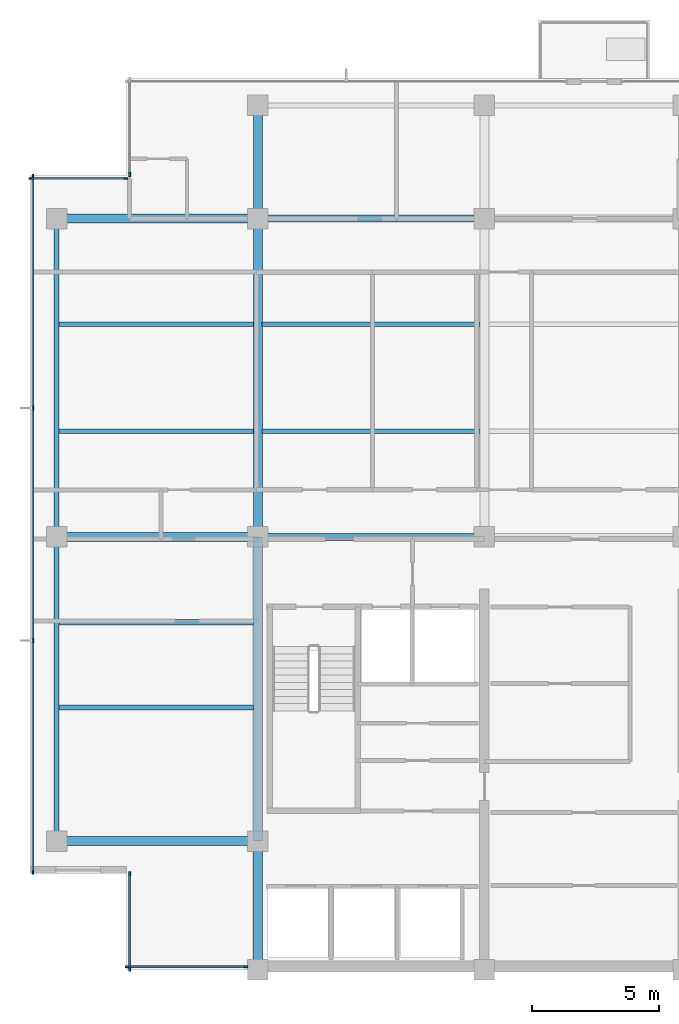
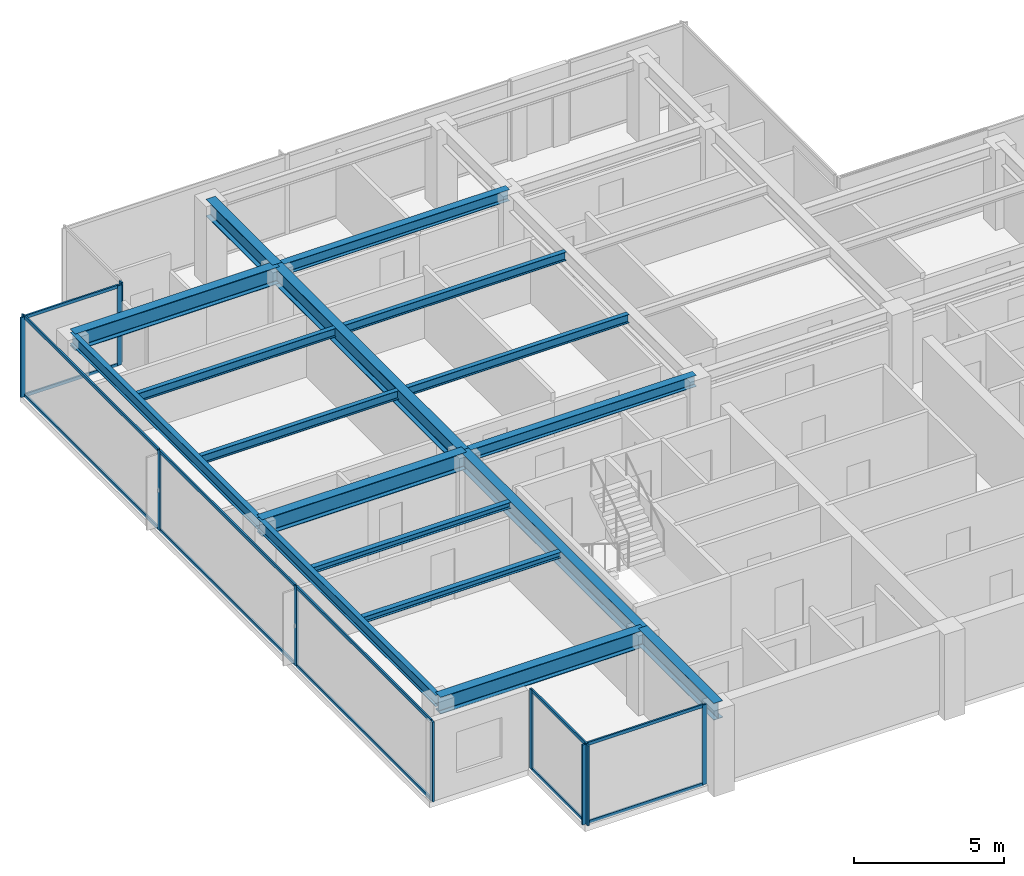
# One storey, part 2 of 11: 23 members, 17 beams, 5 elements without a shape of their own.
"""IFC4 building model written with IfcOpenShell, lengths in metres."""

from ifc_helpers import new_model, si_unit, direction, frame, origin, origin_2d, place, context, subcontext, project, spatial, rectangle, i_section, extrude, material, layer, layer_set, material_profile, profile_set, type_object, element, aggregate, save


model = new_model("IFC4")

# Units and contexts
model_context = context("Model", 3, precision=1e-05, world=origin(), true_north=direction((0.0, 1.0)))
body_context = subcontext(model_context, "Body", "Model", "MODEL_VIEW")
ifc_project = project(units=[si_unit("LENGTHUNIT", "METRE"), si_unit("AREAUNIT", "SQUARE_METRE"), si_unit("VOLUMEUNIT", "CUBIC_METRE"), si_unit("PLANEANGLEUNIT", "RADIAN"), si_unit("MASSUNIT", "GRAM", prefix="KILO")], contexts=[model_context])

# Site, building, storey
site_placement = place(None, origin())
site = spatial("IfcSite", under=ifc_project, at=site_placement, CompositionType="ELEMENT")
building_placement = place(site_placement, origin())
building = spatial("IfcBuilding", under=site, at=building_placement, Name="Qalmaran Belvedere Hotel", CompositionType="ELEMENT")
storey_placement = place(building_placement, frame((0.0, 0.0, 277.39990234375)))
storey = spatial("IfcBuildingStorey", under=building, at=storey_placement, Name="L72", CompositionType="ELEMENT", Elevation=277.39990234375)

# Beams
ifc_material_1 = material(Name="Steel S355JR", Category="steel")
ifc_material_profile_1 = material_profile(ifc_material_1, i_section(OverallWidth=0.201904296875, OverallDepth=0.2470703125, WebThickness=0.00732421875, FlangeThickness=0.010986328125, FilletRadius=0.011962890625, at=origin_2d()), Name="W250X49")
ifc_profile_set_1 = profile_set([ifc_material_profile_1], Name="Steel S355JR")
beam_type_1 = type_object("IfcBeamType", Name="BM-JST-W250X49", PredefinedType="JOIST", material=ifc_profile_set_1)
for number, where, z_axis, x_axis, name in (
    (1, (12.493896484375, 13.800048828125, 3.13671875), (1.0, 0.0, 0.0), (0.0, 1.0, 0.0), "L72 West Wing Joist 031"),
    (2, (12.493896484375, 17.14990234375, 3.13671875), (1.0, 0.0, 0.0), (0.0, 1.0, 0.0), "L72 West Wing Joist 033"),
):
    element("IfcBeam", number, at=place(storey_placement, frame(where, z_axis=z_axis, x_axis=x_axis)), inside=storey, type_object=beam_type_1, Name=name, PredefinedType="JOIST", context=body_context, shape_type="SweptSolid", body=[
        extrude(i_section(OverallWidth=0.201904296875, OverallDepth=0.2470703125, WebThickness=0.00732421875, FlangeThickness=0.010986328125, FilletRadius=0.011962890625, at=origin_2d()), origin(), (0.0, 0.0, 1.0), 7.630615234375),
    ])
ifc_material_profile_2 = material_profile(ifc_material_1, i_section(OverallWidth=0.172119140625, OverallDepth=0.35791015625, WebThickness=0.0078125, FlangeThickness=0.01318359375, FilletRadius=0.014892578125, at=origin_2d()), Name="W360X57")
ifc_profile_set_2 = profile_set([ifc_material_profile_2], Name="Steel S355JR")
beam_type_2 = type_object("IfcBeamType", Name="BM-SB4-W360X57", PredefinedType="BEAM", material=ifc_profile_set_2)
beam_1_placement = place(storey_placement, frame((12.493896484375, 24.64990234375, 3.0810546875), z_axis=(1.0, 0.0, 0.0), x_axis=(0.0, 1.0, 0.0)))
element("IfcBeam", 3, at=beam_1_placement, inside=storey, type_object=beam_type_2, Name="L72 West Secondary Beam 024", PredefinedType="BEAM", context=body_context, shape_type="SweptSolid", body=[
    extrude(i_section(OverallWidth=0.172119140625, OverallDepth=0.35791015625, WebThickness=0.0078125, FlangeThickness=0.01318359375, FilletRadius=0.014892578125, at=origin_2d()), origin(), (0.0, 0.0, 1.0), 7.630615234375),
])
beam_2_placement = place(storey_placement, frame((20.4755859375, 24.64990234375, 3.0810546875), z_axis=(1.0, 0.0, 0.0), x_axis=(0.0, 1.0, 0.0)))
element("IfcBeam", 4, at=beam_2_placement, inside=storey, type_object=beam_type_2, Name="L72 Secondary Floor Beam 025", PredefinedType="BEAM", context=body_context, shape_type="SweptSolid", body=[
    extrude(i_section(OverallWidth=0.172119140625, OverallDepth=0.35791015625, WebThickness=0.0078125, FlangeThickness=0.01318359375, FilletRadius=0.014892578125, at=origin_2d()), origin(), (0.0, 0.0, 1.0), 8.548828125),
])
beam_3_placement = place(storey_placement, frame((12.493896484375, 28.85009765625, 3.0810546875), z_axis=(1.0, 0.0, 0.0), x_axis=(0.0, 1.0, 0.0)))
element("IfcBeam", 5, at=beam_3_placement, inside=storey, type_object=beam_type_2, Name="L72 West Secondary Beam 028", PredefinedType="BEAM", context=body_context, shape_type="SweptSolid", body=[
    extrude(i_section(OverallWidth=0.172119140625, OverallDepth=0.35791015625, WebThickness=0.0078125, FlangeThickness=0.01318359375, FilletRadius=0.014892578125, at=origin_2d()), origin(), (0.0, 0.0, 1.0), 7.630615234375),
])
beam_4_placement = place(storey_placement, frame((20.4755859375, 28.85009765625, 3.0810546875), z_axis=(1.0, 0.0, 0.0), x_axis=(0.0, 1.0, 0.0)))
element("IfcBeam", 6, at=beam_4_placement, inside=storey, type_object=beam_type_2, Name="L72 Secondary Floor Beam 029", PredefinedType="BEAM", context=body_context, shape_type="SweptSolid", body=[
    extrude(i_section(OverallWidth=0.172119140625, OverallDepth=0.35791015625, WebThickness=0.0078125, FlangeThickness=0.01318359375, FilletRadius=0.014892578125, at=origin_2d()), origin(), (0.0, 0.0, 1.0), 8.548828125),
])
ifc_material_profile_3 = material_profile(ifc_material_1, i_section(OverallWidth=0.19189453125, OverallDepth=0.462890625, WebThickness=0.010498046875, FlangeThickness=0.017578125, FilletRadius=0.01611328125, at=origin_2d()), Name="W460X89")
ifc_profile_set_3 = profile_set([ifc_material_profile_3], Name="Steel S355JR")
beam_type_3 = type_object("IfcBeamType", Name="BM-SP2-W460X89", PredefinedType="SPANDREL", material=ifc_profile_set_3)
beam_5_placement = place(storey_placement, frame((12.39990234375, 8.550048828125, 3.028564453125), z_axis=(0.0, 1.0, 0.0), x_axis=(-1.0, 0.0, 0.0)))
element("IfcBeam", 7, at=beam_5_placement, inside=storey, type_object=beam_type_3, Name="L72 Perimeter Spandrel 01", PredefinedType="SPANDREL", context=body_context, shape_type="SweptSolid", body=[
    extrude(i_section(OverallWidth=0.19189453125, OverallDepth=0.462890625, WebThickness=0.010498046875, FlangeThickness=0.017578125, FilletRadius=0.01611328125, at=origin_2d()), origin(), (0.0, 0.0, 1.0), 11.949951171875),
])
beam_6_placement = place(storey_placement, frame((12.39990234375, 20.5, 3.028564453125), z_axis=(0.0, 1.0, 0.0), x_axis=(-1.0, 0.0, 0.0)))
element("IfcBeam", 8, at=beam_6_placement, inside=storey, type_object=beam_type_3, Name="L72 Perimeter Spandrel 02", PredefinedType="SPANDREL", context=body_context, shape_type="SweptSolid", body=[
    extrude(i_section(OverallWidth=0.19189453125, OverallDepth=0.462890625, WebThickness=0.010498046875, FlangeThickness=0.017578125, FilletRadius=0.01611328125, at=origin_2d()), origin(), (0.0, 0.0, 1.0), 12.5),
])
ifc_material_profile_4 = material_profile(ifc_material_1, i_section(OverallWidth=0.35498046875, OverallDepth=0.695068359375, WebThickness=0.015380859375, FlangeThickness=0.02490234375, FilletRadius=0.02197265625, at=origin_2d()), Name="W690X217")
ifc_profile_set_4 = profile_set([ifc_material_profile_4], Name="Steel S355JR")
beam_type_4 = type_object("IfcBeamType", Name="BM-Z1-W690X217", PredefinedType="USERDEFINED", material=ifc_profile_set_4)
beam_7_placement = place(storey_placement, frame((20.300048828125, 20.5, 2.91259765625), z_axis=(0.0, 1.0, 0.0), x_axis=(-1.0, 0.0, 0.0)))
element("IfcBeam", 9, at=beam_7_placement, inside=storey, type_object=beam_type_4, Name="L72 Mid-Plate N-S Girder 11", ObjectType="GIRDER", PredefinedType="USERDEFINED", context=body_context, shape_type="SweptSolid", body=[
    extrude(i_section(OverallWidth=0.35498046875, OverallDepth=0.695068359375, WebThickness=0.015380859375, FlangeThickness=0.02490234375, FilletRadius=0.02197265625, at=origin_2d()), origin(), (0.0, 0.0, 1.0), 12.5),
])
beam_8_placement = place(storey_placement, frame((20.300048828125, 33.0, 2.91259765625), z_axis=(0.0, 1.0, 0.0), x_axis=(-1.0, 0.0, 0.0)))
element("IfcBeam", 10, at=beam_8_placement, inside=storey, type_object=beam_type_4, Name="L72 North Bay Girder 12", ObjectType="GIRDER", PredefinedType="USERDEFINED", context=body_context, shape_type="SweptSolid", body=[
    extrude(i_section(OverallWidth=0.35498046875, OverallDepth=0.695068359375, WebThickness=0.015380859375, FlangeThickness=0.02490234375, FilletRadius=0.02197265625, at=origin_2d()), origin(), (0.0, 0.0, 1.0), 4.449951171875),
])
for number, where, z_axis, x_axis, name in (
    (11, (12.39990234375, 8.550048828125, 2.91259765625), (1.0, 0.0, 0.0), (0.0, 1.0, 0.0), "L72 West Wing Girder 19"),
    (12, (12.39990234375, 20.5, 2.91259765625), (1.0, 0.0, 0.0), (0.0, 1.0, 0.0), "L72 West Wing Girder 20"),
    (13, (12.39990234375, 33.0, 2.91259765625), (1.0, 0.0, 0.0), (0.0, 1.0, 0.0), "L72 West Wing Girder 21"),
):
    element("IfcBeam", number, at=place(storey_placement, frame(where, z_axis=z_axis, x_axis=x_axis)), inside=storey, type_object=beam_type_4, Name=name, ObjectType="GIRDER", PredefinedType="USERDEFINED", context=body_context, shape_type="SweptSolid", body=[
        extrude(i_section(OverallWidth=0.35498046875, OverallDepth=0.695068359375, WebThickness=0.015380859375, FlangeThickness=0.02490234375, FilletRadius=0.02197265625, at=origin_2d()), origin(), (0.0, 0.0, 1.0), 7.900146484375),
    ])
beam_9_placement = place(storey_placement, frame((20.300048828125, 3.5, 2.91259765625), z_axis=(0.0, 1.0, 0.0), x_axis=(-1.0, 0.0, 0.0)))
element("IfcBeam", 14, at=beam_9_placement, inside=storey, type_object=beam_type_4, Name="L72 West Core Edge Girder A", ObjectType="GIRDER", PredefinedType="USERDEFINED", context=body_context, shape_type="SweptSolid", body=[
    extrude(i_section(OverallWidth=0.35498046875, OverallDepth=0.695068359375, WebThickness=0.015380859375, FlangeThickness=0.02490234375, FilletRadius=0.02197265625, at=origin_2d()), origin(), (0.0, 0.0, 1.0), 5.050048828125),
])
beam_10_placement = place(storey_placement, frame((20.300048828125, 8.550048828125, 2.91259765625), z_axis=(0.0, 1.0, 0.0), x_axis=(-1.0, 0.0, 0.0)))
element("IfcBeam", 15, at=beam_10_placement, inside=storey, type_object=beam_type_4, Name="L72 West Core Edge Girder B", ObjectType="GIRDER", PredefinedType="USERDEFINED", context=body_context, shape_type="SweptSolid", body=[
    extrude(i_section(OverallWidth=0.35498046875, OverallDepth=0.695068359375, WebThickness=0.015380859375, FlangeThickness=0.02490234375, FilletRadius=0.02197265625, at=origin_2d()), origin(), (0.0, 0.0, 1.0), 11.949951171875),
])
ifc_material_profile_5 = material_profile(ifc_material_1, i_section(OverallWidth=0.280029296875, OverallDepth=0.462890625, WebThickness=0.0107421875, FlangeThickness=0.017333984375, FilletRadius=0.01611328125, at=origin_2d()), Name="W460X113")
ifc_profile_set_5 = profile_set([ifc_material_profile_5], Name="Steel S355JR")
beam_type_5 = type_object("IfcBeamType", Name="BM-Z5-W460X113", PredefinedType="USERDEFINED", material=ifc_profile_set_5)
for number, where, z_axis, x_axis, name in (
    (16, (20.300048828125, 20.5, 3.028564453125), (1.0, 0.0, 0.0), (0.0, 1.0, 0.0), "L72 Interior E-W Girder 06"),
    (17, (20.300048828125, 33.0, 3.028564453125), (1.0, 0.0, 0.0), (0.0, 1.0, 0.0), "L72 Interior E-W Girder 09"),
):
    element("IfcBeam", number, at=place(storey_placement, frame(where, z_axis=z_axis, x_axis=x_axis)), inside=storey, type_object=beam_type_5, Name=name, ObjectType="GIRDER", PredefinedType="USERDEFINED", context=body_context, shape_type="SweptSolid", body=[
        extrude(i_section(OverallWidth=0.280029296875, OverallDepth=0.462890625, WebThickness=0.0107421875, FlangeThickness=0.017333984375, FilletRadius=0.01611328125, at=origin_2d()), origin(), (0.0, 0.0, 1.0), 8.89990234375),
    ])

# Curtain wall, members
ifc_material_2 = material(Name="Anodised Bronze Aluminium", Category="aluminium")
ifc_layer = layer(ifc_material_2, 0.18505859375, Name="Anodised Bronze Aluminium")
ifc_layer_set = layer_set([ifc_layer], Name="Anodised Bronze Aluminium")
curtain_wall_type = type_object("IfcCurtainWallType", Name="CW6-TOWER-SKY", PredefinedType="NOTDEFINED", material=ifc_layer_set)
curtain_wall_1_placement = place(storey_placement, origin())
curtain_wall_1 = element("IfcCurtainWall", 18, at=curtain_wall_1_placement, inside=storey, type_object=curtain_wall_type, Name="L72 Curtain Wall CW6", PredefinedType="NOTDEFINED")
ifc_material_profile_6 = material_profile(ifc_material_2, rectangle(XDim=0.06494140625, YDim=0.1650390625, at=origin_2d()), Name="CWM65X165")
ifc_profile_set_6 = profile_set([ifc_material_profile_6], Name="Anodised Bronze Aluminium")
member_type_1 = type_object("IfcMemberType", Name="CWM-65X165", PredefinedType="MULLION", material=ifc_profile_set_6)
member_1_placement = place(storey_placement, frame((15.1826171875, 3.6201171875, 0.0), z_axis=(0.0, 0.0, 1.0), x_axis=(0.0, 1.0, 0.0)))
member_1 = element("IfcMember", 19, at=member_1_placement, type_object=member_type_1, Name="CW6 mullion 1", PredefinedType="MULLION", context=body_context, shape_type="SweptSolid", body=[
    extrude(rectangle(XDim=0.06494140625, YDim=0.1650390625, at=origin_2d()), origin(), (0.0, 0.0, 1.0), 3.260009765625),
])
member_2_placement = place(storey_placement, frame((19.827392578125, 3.6201171875, 0.0), z_axis=(0.0, 0.0, 1.0), x_axis=(0.0, 1.0, 0.0)))
member_2 = element("IfcMember", 20, at=member_2_placement, type_object=member_type_1, Name="CW6 mullion 2", PredefinedType="MULLION", context=body_context, shape_type="SweptSolid", body=[
    extrude(rectangle(XDim=0.06494140625, YDim=0.1650390625, at=origin_2d()), origin(), (0.0, 0.0, 1.0), 3.260009765625),
])

# Curtain wall, member
curtain_wall_2_placement = place(storey_placement, origin())
curtain_wall_2 = element("IfcCurtainWall", 21, at=curtain_wall_2_placement, inside=storey, type_object=curtain_wall_type, Name="L72 Curtain Wall CW6", PredefinedType="NOTDEFINED")
member_3_placement = place(storey_placement, frame((15.27001953125, 34.732421875, 0.0), z_axis=(0.0, 0.0, 1.0), x_axis=(1.0, 0.0, 0.0)))
member_3 = element("IfcMember", 22, at=member_3_placement, type_object=member_type_1, Name="CW6 mullion 2", PredefinedType="MULLION", context=body_context, shape_type="SweptSolid", body=[
    extrude(rectangle(XDim=0.06494140625, YDim=0.1650390625, at=origin_2d()), origin(), (0.0, 0.0, 1.0), 3.260009765625),
])
aggregate(curtain_wall_2, [member_3])

# Curtain wall, members
curtain_wall_3_placement = place(storey_placement, origin())
curtain_wall_3 = element("IfcCurtainWall", 23, at=curtain_wall_3_placement, inside=storey, type_object=curtain_wall_type, Name="L72 Curtain Wall CW6", PredefinedType="NOTDEFINED")
member_4_placement = place(storey_placement, frame((15.117431640625, 34.580078125, 0.0), z_axis=(0.0, 0.0, 1.0), x_axis=(0.0, -1.0, 0.0)))
member_4 = element("IfcMember", 24, at=member_4_placement, type_object=member_type_1, Name="CW6 mullion 1", PredefinedType="MULLION", context=body_context, shape_type="SweptSolid", body=[
    extrude(rectangle(XDim=0.06494140625, YDim=0.1650390625, at=origin_2d()), origin(), (0.0, 0.0, 1.0), 3.260009765625),
])
member_5_placement = place(storey_placement, frame((11.382568359375, 34.580078125, 0.0), z_axis=(0.0, 0.0, 1.0), x_axis=(0.0, -1.0, 0.0)))
member_5 = element("IfcMember", 25, at=member_5_placement, type_object=member_type_1, Name="CW6 mullion 2", PredefinedType="MULLION", context=body_context, shape_type="SweptSolid", body=[
    extrude(rectangle(XDim=0.06494140625, YDim=0.1650390625, at=origin_2d()), origin(), (0.0, 0.0, 1.0), 3.260009765625),
])

curtain_wall_4_placement = place(storey_placement, origin())
curtain_wall_4 = element("IfcCurtainWall", 26, at=curtain_wall_4_placement, inside=storey, type_object=curtain_wall_type, Name="L72 Curtain Wall CW6", PredefinedType="NOTDEFINED")
member_6_placement = place(storey_placement, frame((11.469970703125, 34.66748046875, 0.0), z_axis=(0.0, 0.0, 1.0), x_axis=(1.0, 0.0, 0.0)))
member_6 = element("IfcMember", 27, at=member_6_placement, type_object=member_type_1, Name="CW6 mullion 1", PredefinedType="MULLION", context=body_context, shape_type="SweptSolid", body=[
    extrude(rectangle(XDim=0.06494140625, YDim=0.1650390625, at=origin_2d()), origin(), (0.0, 0.0, 1.0), 3.260009765625),
])
member_7_placement = place(storey_placement, frame((11.469970703125, 25.566650390625, 0.0), z_axis=(0.0, 0.0, 1.0), x_axis=(1.0, 0.0, 0.0)))
member_7 = element("IfcMember", 28, at=member_7_placement, type_object=member_type_1, Name="CW6 mullion 2", PredefinedType="MULLION", context=body_context, shape_type="SweptSolid", body=[
    extrude(rectangle(XDim=0.06494140625, YDim=0.1650390625, at=origin_2d()), origin(), (0.0, 0.0, 1.0), 3.260009765625),
])
member_8_placement = place(storey_placement, frame((11.469970703125, 16.433349609375, 0.0), z_axis=(0.0, 0.0, 1.0), x_axis=(1.0, 0.0, 0.0)))
member_8 = element("IfcMember", 29, at=member_8_placement, type_object=member_type_1, Name="CW6 mullion 3", PredefinedType="MULLION", context=body_context, shape_type="SweptSolid", body=[
    extrude(rectangle(XDim=0.06494140625, YDim=0.1650390625, at=origin_2d()), origin(), (0.0, 0.0, 1.0), 3.260009765625),
])
member_9_placement = place(storey_placement, frame((11.469970703125, 7.33251953125, 0.0), z_axis=(0.0, 0.0, 1.0), x_axis=(1.0, 0.0, 0.0)))
member_9 = element("IfcMember", 30, at=member_9_placement, type_object=member_type_1, Name="CW6 mullion 4", PredefinedType="MULLION", context=body_context, shape_type="SweptSolid", body=[
    extrude(rectangle(XDim=0.06494140625, YDim=0.1650390625, at=origin_2d()), origin(), (0.0, 0.0, 1.0), 3.260009765625),
])

curtain_wall_5_placement = place(storey_placement, origin())
curtain_wall_5 = element("IfcCurtainWall", 31, at=curtain_wall_5_placement, inside=storey, type_object=curtain_wall_type, Name="L72 Curtain Wall CW6", PredefinedType="NOTDEFINED")
member_10_placement = place(storey_placement, frame((15.27001953125, 7.267578125, 0.0), z_axis=(0.0, 0.0, 1.0), x_axis=(1.0, 0.0, 0.0)))
member_10 = element("IfcMember", 32, at=member_10_placement, type_object=member_type_1, Name="CW6 mullion 1", PredefinedType="MULLION", context=body_context, shape_type="SweptSolid", body=[
    extrude(rectangle(XDim=0.06494140625, YDim=0.1650390625, at=origin_2d()), origin(), (0.0, 0.0, 1.0), 3.260009765625),
])
member_11_placement = place(storey_placement, frame((15.27001953125, 3.532470703125, 0.0), z_axis=(0.0, 0.0, 1.0), x_axis=(1.0, 0.0, 0.0)))
member_11 = element("IfcMember", 33, at=member_11_placement, type_object=member_type_1, Name="CW6 mullion 2", PredefinedType="MULLION", context=body_context, shape_type="SweptSolid", body=[
    extrude(rectangle(XDim=0.06494140625, YDim=0.1650390625, at=origin_2d()), origin(), (0.0, 0.0, 1.0), 3.260009765625),
])

# Member
ifc_material_profile_7 = material_profile(ifc_material_2, rectangle(XDim=0.06494140625, YDim=0.1298828125, at=origin_2d()), Name="CWT65X130")
ifc_profile_set_7 = profile_set([ifc_material_profile_7], Name="Anodised Bronze Aluminium")
member_type_2 = type_object("IfcMemberType", Name="CWT-65X130", PredefinedType="USERDEFINED", material=ifc_profile_set_7)
member_12_placement = place(storey_placement, frame((15.215087890625, 3.6201171875, 0.03271484375), z_axis=(1.0, 0.0, 0.0), x_axis=(0.0, 1.0, 0.0)))
member_12 = element("IfcMember", 34, at=member_12_placement, type_object=member_type_2, Name="CW6 transom 1.1", ObjectType="TRANSOM", PredefinedType="USERDEFINED", context=body_context, shape_type="SweptSolid", body=[
    extrude(rectangle(XDim=0.06494140625, YDim=0.1298828125, at=origin_2d()), origin(), (0.0, 0.0, 1.0), 4.579833984375),
])

member_13_placement = place(storey_placement, frame((15.215087890625, 3.6201171875, 3.2275390625), z_axis=(1.0, 0.0, 0.0), x_axis=(0.0, 1.0, 0.0)))
member_13 = element("IfcMember", 35, at=member_13_placement, type_object=member_type_2, Name="CW6 transom 1.2", ObjectType="TRANSOM", PredefinedType="USERDEFINED", context=body_context, shape_type="SweptSolid", body=[
    extrude(rectangle(XDim=0.06494140625, YDim=0.1298828125, at=origin_2d()), origin(), (0.0, 0.0, 1.0), 4.579833984375),
])

aggregate(curtain_wall_1, [member_1, member_2, member_12, member_13])

member_14_placement = place(storey_placement, frame((15.0849609375, 34.580078125, 0.03271484375), z_axis=(-1.0, 0.0, 0.0), x_axis=(0.0, -1.0, 0.0)))
member_14 = element("IfcMember", 36, at=member_14_placement, type_object=member_type_2, Name="CW6 transom 1.1", ObjectType="TRANSOM", PredefinedType="USERDEFINED", context=body_context, shape_type="SweptSolid", body=[
    extrude(rectangle(XDim=0.06494140625, YDim=0.1298828125, at=origin_2d()), origin(), (0.0, 0.0, 1.0), 3.669921875),
])

member_15_placement = place(storey_placement, frame((15.0849609375, 34.580078125, 3.2275390625), z_axis=(-1.0, 0.0, 0.0), x_axis=(0.0, -1.0, 0.0)))
member_15 = element("IfcMember", 37, at=member_15_placement, type_object=member_type_2, Name="CW6 transom 1.2", ObjectType="TRANSOM", PredefinedType="USERDEFINED", context=body_context, shape_type="SweptSolid", body=[
    extrude(rectangle(XDim=0.06494140625, YDim=0.1298828125, at=origin_2d()), origin(), (0.0, 0.0, 1.0), 3.669921875),
])

aggregate(curtain_wall_3, [member_4, member_5, member_14, member_15])

member_16_placement = place(storey_placement, frame((11.469970703125, 34.635009765625, 0.03271484375), z_axis=(0.0, -1.0, 0.0), x_axis=(1.0, 0.0, 0.0)))
member_16 = element("IfcMember", 38, at=member_16_placement, type_object=member_type_2, Name="CW6 transom 1.1", ObjectType="TRANSOM", PredefinedType="USERDEFINED", context=body_context, shape_type="SweptSolid", body=[
    extrude(rectangle(XDim=0.06494140625, YDim=0.1298828125, at=origin_2d()), origin(), (0.0, 0.0, 1.0), 9.035888671875),
])

member_17_placement = place(storey_placement, frame((11.469970703125, 34.635009765625, 3.2275390625), z_axis=(0.0, -1.0, 0.0), x_axis=(1.0, 0.0, 0.0)))
member_17 = element("IfcMember", 39, at=member_17_placement, type_object=member_type_2, Name="CW6 transom 1.2", ObjectType="TRANSOM", PredefinedType="USERDEFINED", context=body_context, shape_type="SweptSolid", body=[
    extrude(rectangle(XDim=0.06494140625, YDim=0.1298828125, at=origin_2d()), origin(), (0.0, 0.0, 1.0), 9.035888671875),
])

member_18_placement = place(storey_placement, frame((11.469970703125, 25.5341796875, 0.03271484375), z_axis=(0.0, -1.0, 0.0), x_axis=(1.0, 0.0, 0.0)))
member_18 = element("IfcMember", 40, at=member_18_placement, type_object=member_type_2, Name="CW6 transom 2.1", ObjectType="TRANSOM", PredefinedType="USERDEFINED", context=body_context, shape_type="SweptSolid", body=[
    extrude(rectangle(XDim=0.06494140625, YDim=0.1298828125, at=origin_2d()), origin(), (0.0, 0.0, 1.0), 9.068359375),
])

member_19_placement = place(storey_placement, frame((11.469970703125, 25.5341796875, 3.2275390625), z_axis=(0.0, -1.0, 0.0), x_axis=(1.0, 0.0, 0.0)))
member_19 = element("IfcMember", 41, at=member_19_placement, type_object=member_type_2, Name="CW6 transom 2.2", ObjectType="TRANSOM", PredefinedType="USERDEFINED", context=body_context, shape_type="SweptSolid", body=[
    extrude(rectangle(XDim=0.06494140625, YDim=0.1298828125, at=origin_2d()), origin(), (0.0, 0.0, 1.0), 9.068359375),
])

member_20_placement = place(storey_placement, frame((11.469970703125, 16.40087890625, 0.03271484375), z_axis=(0.0, -1.0, 0.0), x_axis=(1.0, 0.0, 0.0)))
member_20 = element("IfcMember", 42, at=member_20_placement, type_object=member_type_2, Name="CW6 transom 3.1", ObjectType="TRANSOM", PredefinedType="USERDEFINED", context=body_context, shape_type="SweptSolid", body=[
    extrude(rectangle(XDim=0.06494140625, YDim=0.1298828125, at=origin_2d()), origin(), (0.0, 0.0, 1.0), 9.035888671875),
])

member_21_placement = place(storey_placement, frame((11.469970703125, 16.40087890625, 3.2275390625), z_axis=(0.0, -1.0, 0.0), x_axis=(1.0, 0.0, 0.0)))
member_21 = element("IfcMember", 43, at=member_21_placement, type_object=member_type_2, Name="CW6 transom 3.2", ObjectType="TRANSOM", PredefinedType="USERDEFINED", context=body_context, shape_type="SweptSolid", body=[
    extrude(rectangle(XDim=0.06494140625, YDim=0.1298828125, at=origin_2d()), origin(), (0.0, 0.0, 1.0), 9.035888671875),
])

aggregate(curtain_wall_4, [member_6, member_7, member_8, member_9, member_16, member_17, member_18, member_19, member_20, member_21])

member_22_placement = place(storey_placement, frame((15.27001953125, 7.235107421875, 0.03271484375), z_axis=(0.0, -1.0, 0.0), x_axis=(1.0, 0.0, 0.0)))
member_22 = element("IfcMember", 44, at=member_22_placement, type_object=member_type_2, Name="CW6 transom 1.1", ObjectType="TRANSOM", PredefinedType="USERDEFINED", context=body_context, shape_type="SweptSolid", body=[
    extrude(rectangle(XDim=0.06494140625, YDim=0.1298828125, at=origin_2d()), origin(), (0.0, 0.0, 1.0), 3.670166015625),
])

member_23_placement = place(storey_placement, frame((15.27001953125, 7.235107421875, 3.2275390625), z_axis=(0.0, -1.0, 0.0), x_axis=(1.0, 0.0, 0.0)))
member_23 = element("IfcMember", 45, at=member_23_placement, type_object=member_type_2, Name="CW6 transom 1.2", ObjectType="TRANSOM", PredefinedType="USERDEFINED", context=body_context, shape_type="SweptSolid", body=[
    extrude(rectangle(XDim=0.06494140625, YDim=0.1298828125, at=origin_2d()), origin(), (0.0, 0.0, 1.0), 3.670166015625),
])

aggregate(curtain_wall_5, [member_10, member_11, member_22, member_23])

save(model, "model.ifc")
